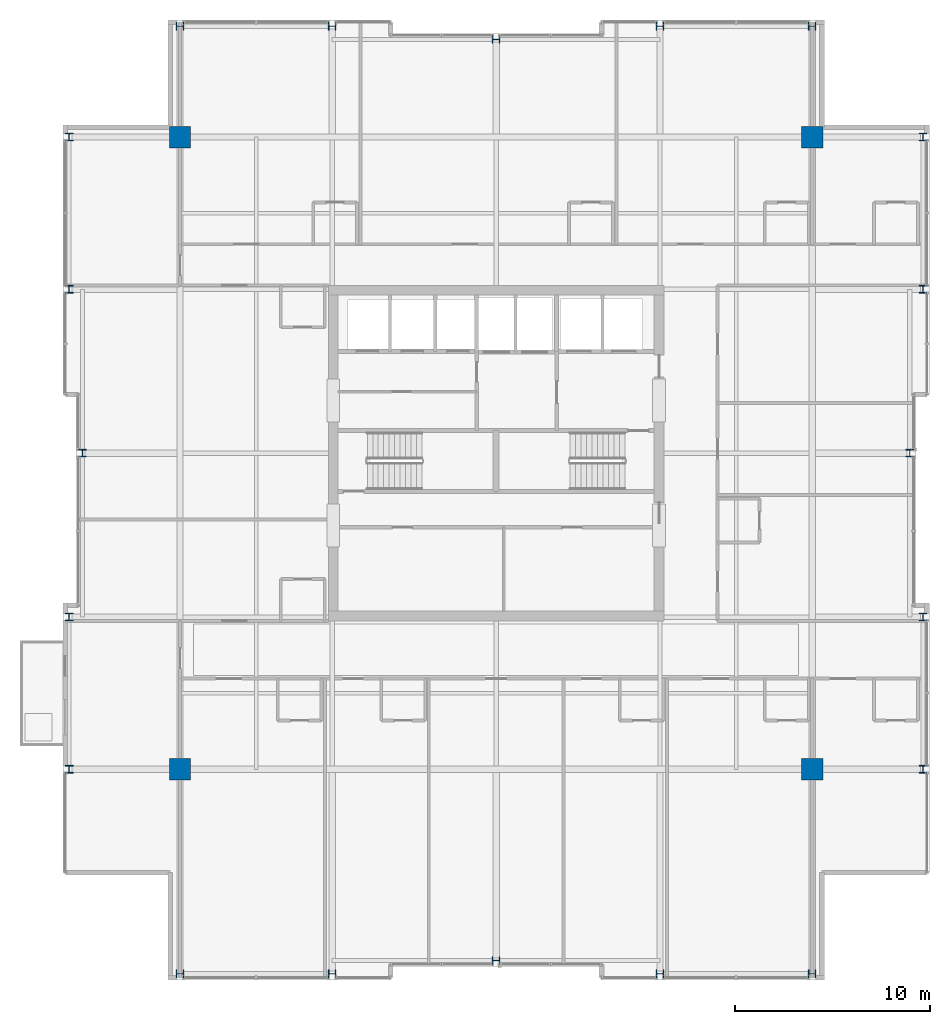
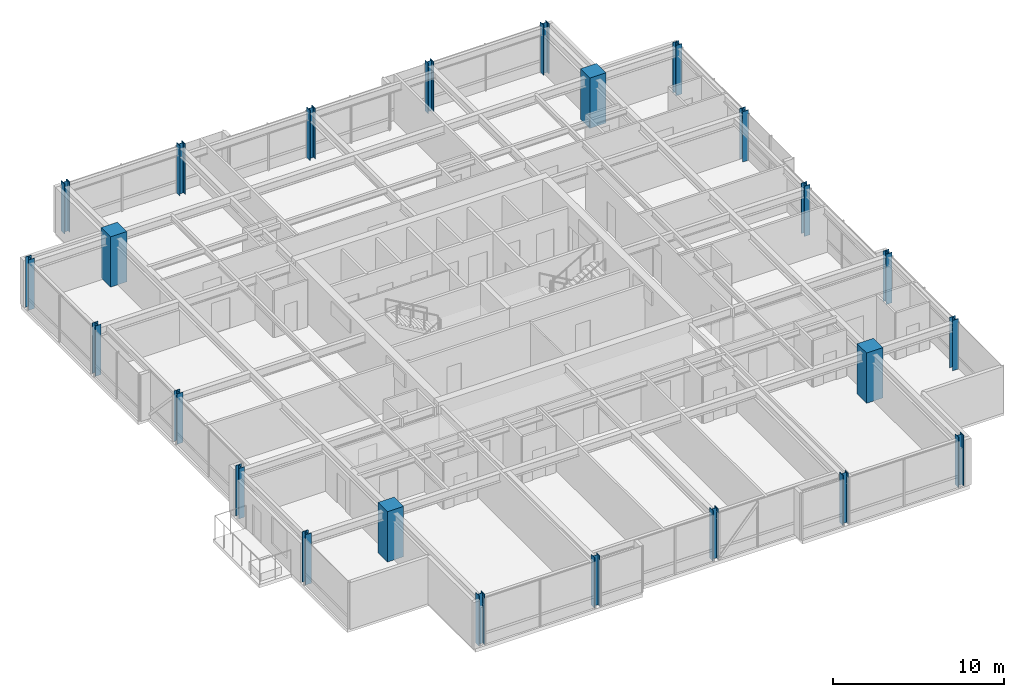
# One storey, part 1 of 32: 24 columns.
"""IFC4 building model written with IfcOpenShell, lengths in metres."""

from ifc_helpers import new_model, si_unit, direction, frame, origin, origin_2d, place, context, subcontext, project, spatial, rectangle, i_section, extrude, material, material_profile, profile_set, type_object, element, save


model = new_model("IFC4")

# Units and contexts
model_context = context("Model", 3, precision=1e-05, world=origin(), true_north=direction((0.0, 1.0)))
body_context = subcontext(model_context, "Body", "Model", "MODEL_VIEW")
ifc_project = project(units=[si_unit("LENGTHUNIT", "METRE"), si_unit("AREAUNIT", "SQUARE_METRE"), si_unit("VOLUMEUNIT", "CUBIC_METRE"), si_unit("PLANEANGLEUNIT", "RADIAN"), si_unit("MASSUNIT", "GRAM", prefix="KILO")], contexts=[model_context])

# Site, building, storey
site_placement = place(None, origin())
site = spatial("IfcSite", under=ifc_project, at=site_placement, CompositionType="ELEMENT")
building_placement = place(site_placement, origin())
building = spatial("IfcBuilding", under=site, at=building_placement, Name="Drelvath Grand Hotel", CompositionType="ELEMENT")
storey_placement = place(building_placement, frame((0.0, 0.0, 226.699951171875)))
storey = spatial("IfcBuildingStorey", under=building, at=storey_placement, Name="L59", CompositionType="ELEMENT", Elevation=226.699951171875)

# Columns
ifc_material_1 = material(Name="Concrete f'c 55 MPa", Category="concrete")
ifc_material_profile_1 = material_profile(ifc_material_1, rectangle(XDim=1.10009765625, YDim=1.10009765625, at=origin_2d()), Name="MC1100X1100")
ifc_profile_set_1 = profile_set([ifc_material_profile_1], Name="Concrete f'c 55 MPa")
column_type_1 = type_object("IfcColumnType", Name="Composite Mega Column MC1100X1100", PredefinedType="COLUMN", material=ifc_profile_set_1)
for number, where, z_axis, x_axis, name in (
    (1, (-16.199951171875, 10.800048828125, 0.0), (0.0, 0.0, 1.0), (1.0, 0.0, 0.0), "L59 Composite Mega Column MC-SW"),
    (2, (16.199951171875, 10.800048828125, 0.0), (0.0, 0.0, 1.0), (1.0, 0.0, 0.0), "L59 Composite Mega Column MC-SE"),
    (3, (-16.199951171875, 43.199951171875, 0.0), (0.0, 0.0, 1.0), (1.0, 0.0, 0.0), "L59 Composite Mega Column MC-NW"),
    (4, (16.199951171875, 43.199951171875, 0.0), (0.0, 0.0, 1.0), (1.0, 0.0, 0.0), "L59 Composite Mega Column MC-NE"),
):
    element("IfcColumn", number, at=place(storey_placement, frame(where, z_axis=z_axis, x_axis=x_axis)), inside=storey, type_object=column_type_1, Name=name, PredefinedType="COLUMN", context=body_context, shape_type="SweptSolid", body=[
        extrude(rectangle(XDim=1.10009765625, YDim=1.10009765625, at=origin_2d()), origin(), (0.0, 0.0, 1.0), 3.60009765625),
    ])
ifc_material_2 = material(Name="Steel ASTM A913 Gr 65", Category="steel")
ifc_material_profile_2 = material_profile(ifc_material_2, i_section(OverallWidth=0.3974609375, OverallDepth=0.38671875, WebThickness=0.02099609375, FlangeThickness=0.033203125, FilletRadius=0.02490234375, at=origin_2d()), Name="W14X176")
ifc_profile_set_2 = profile_set([ifc_material_profile_2], Name="Steel ASTM A913 Gr 65")
column_type_2 = type_object("IfcColumnType", Name="Perimeter Steel Column W14X176", PredefinedType="COLUMN", material=ifc_profile_set_2)
for number, where, z_axis, x_axis, name in (
    (5, (-21.8798828125, 10.800048828125, 0.0), (0.0, 0.0, 1.0), (1.0, 0.0, 0.0), "L59 Structural Column TCW-C"),
    (6, (21.8798828125, 10.800048828125, 0.0), (0.0, 0.0, 1.0), (1.0, 0.0, 0.0), "L59 Structural Column TCE-C"),
    (7, (-21.8798828125, 18.60009765625, 0.0), (0.0, 0.0, 1.0), (1.0, 0.0, 0.0), "L59 Structural Column TCW-D"),
    (8, (21.8798828125, 18.60009765625, 0.0), (0.0, 0.0, 1.0), (1.0, 0.0, 0.0), "L59 Structural Column TCE-D"),
    (9, (-21.199951171875, 27.0, 0.0), (0.0, 0.0, 1.0), (1.0, 0.0, 0.0), "L59 Structural Column TCW-E"),
    (10, (21.199951171875, 27.0, 0.0), (0.0, 0.0, 1.0), (1.0, 0.0, 0.0), "L59 Structural Column TCE-E"),
    (11, (-21.8798828125, 35.39990234375, 0.0), (0.0, 0.0, 1.0), (1.0, 0.0, 0.0), "L59 Structural Column TCW-F"),
    (12, (21.8798828125, 35.39990234375, 0.0), (0.0, 0.0, 1.0), (1.0, 0.0, 0.0), "L59 Structural Column TCE-F"),
    (13, (-21.8798828125, 43.199951171875, 0.0), (0.0, 0.0, 1.0), (1.0, 0.0, 0.0), "L59 Structural Column TCW-G"),
    (14, (21.8798828125, 43.199951171875, 0.0), (0.0, 0.0, 1.0), (1.0, 0.0, 0.0), "L59 Structural Column TCE-G"),
    (15, (-16.199951171875, 0.320068359375, 0.0), (0.0, 0.0, 1.0), (0.0, 1.0, 0.0), "L59 Structural Column TCS-3"),
    (16, (-16.199951171875, 48.8798828125, 0.0), (0.0, 0.0, 1.0), (0.0, 1.0, 0.0), "L59 Structural Column TCN-3"),
    (17, (-8.39990234375, 0.320068359375, 0.0), (0.0, 0.0, 1.0), (0.0, 1.0, 0.0), "L59 Structural Column TCS-4"),
    (18, (-8.39990234375, 48.8798828125, 0.0), (0.0, 0.0, 1.0), (0.0, 1.0, 0.0), "L59 Structural Column TCN-4"),
    (19, (0.0, 1.0, 0.0), (0.0, 0.0, 1.0), (0.0, 1.0, 0.0), "L59 Structural Column TCS-5"),
    (20, (0.0, 48.199951171875, 0.0), (0.0, 0.0, 1.0), (0.0, 1.0, 0.0), "L59 Structural Column TCN-5"),
    (21, (8.39990234375, 0.320068359375, 0.0), (0.0, 0.0, 1.0), (0.0, 1.0, 0.0), "L59 Structural Column TCS-6"),
    (22, (8.39990234375, 48.8798828125, 0.0), (0.0, 0.0, 1.0), (0.0, 1.0, 0.0), "L59 Structural Column TCN-6"),
    (23, (16.199951171875, 0.320068359375, 0.0), (0.0, 0.0, 1.0), (0.0, 1.0, 0.0), "L59 Structural Column TCS-7"),
    (24, (16.199951171875, 48.8798828125, 0.0), (0.0, 0.0, 1.0), (0.0, 1.0, 0.0), "L59 Structural Column TCN-7"),
):
    element("IfcColumn", number, at=place(storey_placement, frame(where, z_axis=z_axis, x_axis=x_axis)), inside=storey, type_object=column_type_2, Name=name, PredefinedType="COLUMN", context=body_context, shape_type="SweptSolid", body=[
        extrude(i_section(OverallWidth=0.3974609375, OverallDepth=0.38671875, WebThickness=0.02099609375, FlangeThickness=0.033203125, FilletRadius=0.02490234375, at=origin_2d()), origin(), (0.0, 0.0, 1.0), 3.59716796875),
    ])

save(model, "model.ifc")
